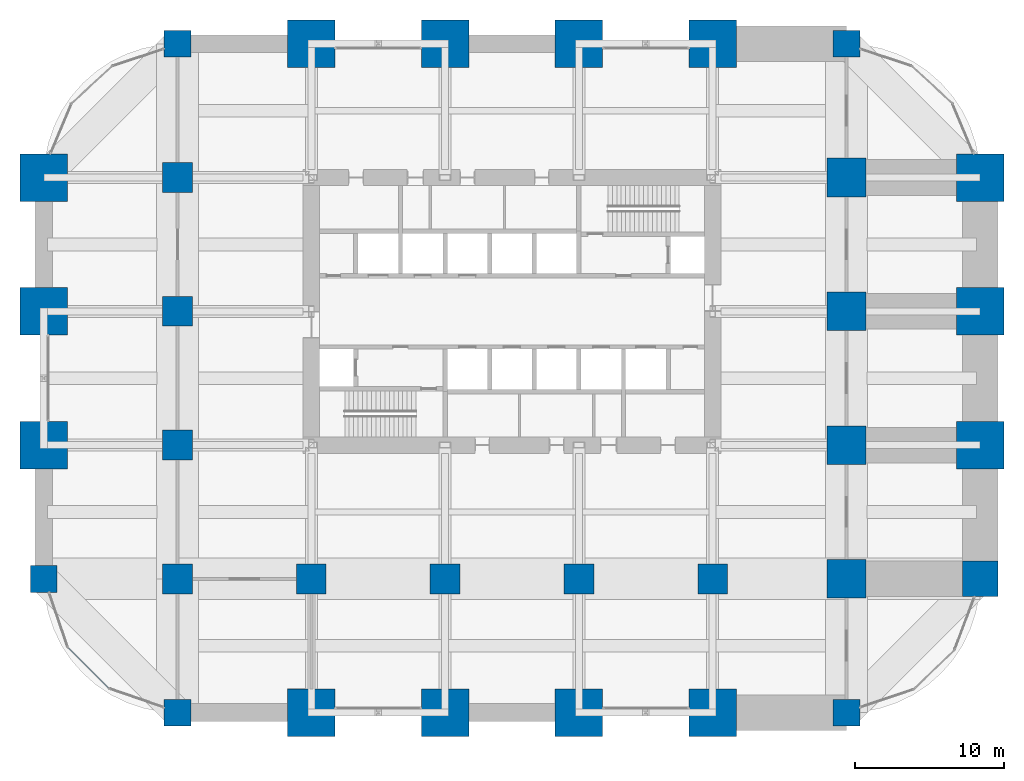
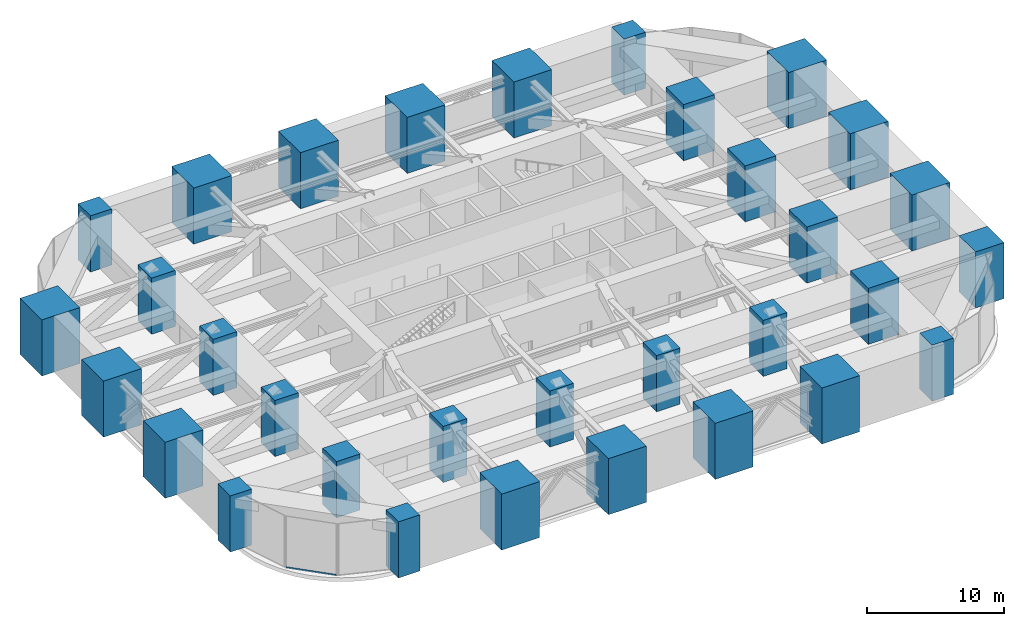
# One storey, part 1 of 38: 32 columns, 1 member, 1 element without a shape of its own.
"""IFC4 building model written with IfcOpenShell, lengths in metres."""

import ifcopenshell
import ifcopenshell.guid

model = None  # the IFC model being written
_history = None  # IfcOwnerHistory: only IFC2X3 demands one
_inside = {}  # id of a spatial element -> (the spatial element, [elements in it])
_under = {}  # id of a project, library or spatial element -> (it, [spatial elements below it])
_declared = {}  # id of a project -> (the project, [libraries it declares])
_typed = {}  # id of a type object -> (the type object, [elements of that type])
_made_of = {}  # id of a material, layer set ... -> (it, [elements and type objects made of it])


def new_model(schema):
    """Start an empty IFC model of exactly this schema.

    Asked for "IFC4X3", IfcOpenShell would pick the latest addendum, in which some entities
    have other attributes; the version numbers below select the first issue.
    IFC2X3 requires an IfcOwnerHistory on every rooted entity: one is made here for all.
    """
    global model, _history
    if schema == "IFC4X3":
        model = ifcopenshell.file(schema_version=(4, 3, 0, 0))
    else:
        model = ifcopenshell.file(schema=schema)
    _inside.clear()
    _under.clear()
    _declared.clear()
    _typed.clear()
    _made_of.clear()
    _history = None
    if model.schema == "IFC2X3":
        org = make("IfcOrganization", Name="unknown")
        user = make(
            "IfcPersonAndOrganization",
            ThePerson=make("IfcPerson", FamilyName="unknown"),
            TheOrganization=org,
        )
        app = make(
            "IfcApplication",
            ApplicationDeveloper=org,
            Version="unknown",
            ApplicationFullName="unknown",
            ApplicationIdentifier="unknown",
        )
        _history = make(
            "IfcOwnerHistory",
            OwningUser=user,
            OwningApplication=app,
            ChangeAction="ADDED",
            CreationDate=0,
        )
    return model


def make(cls, **values):
    """One entity of the class cls with the attributes given. An attribute that is None is left unset."""
    return model.create_entity(
        cls, **{name: value for name, value in values.items() if value is not None}
    )


def rooted(cls, **values):
    """An entity with a GlobalId (a new one), such as an element, a storey or a relation."""
    return make(cls, GlobalId=ifcopenshell.guid.new(), OwnerHistory=_history, **values)


def si_unit(unit_type, name, prefix=None):
    """IfcSIUnit, for example si_unit("LENGTHUNIT", "METRE", prefix="MILLI")."""
    return make("IfcSIUnit", UnitType=unit_type, Prefix=prefix, Name=name)


def assignment(units):
    """IfcUnitAssignment: the units of a project."""
    return None if units is None else make("IfcUnitAssignment", Units=units)


def point(xyz):
    """IfcCartesianPoint."""
    return None if xyz is None else make("IfcCartesianPoint", Coordinates=xyz)


def direction(xyz):
    """IfcDirection."""
    return None if xyz is None else make("IfcDirection", DirectionRatios=xyz)


def frame(location, z_axis=None, x_axis=None):
    """IfcAxis2Placement3D, a coordinate frame: its origin and axes. An axis left out is left unset."""
    return make(
        "IfcAxis2Placement3D",
        Location=point(location),
        Axis=direction(z_axis),
        RefDirection=direction(x_axis),
    )


def frame_2d(location, x_axis=None):
    """IfcAxis2Placement2D, a coordinate frame in the plane: its origin and x axis."""
    return make(
        "IfcAxis2Placement2D", Location=point(location), RefDirection=direction(x_axis)
    )


def origin():
    """The frame at (0, 0, 0) with its axes left unset."""
    return frame((0.0, 0.0, 0.0))


def origin_2d():
    """The frame at (0, 0) in the plane with its x axis left unset."""
    return frame_2d((0.0, 0.0))


def place(relative_to, where):
    """IfcLocalPlacement: puts the frame where relative to a parent placement (None: the world)."""
    return make(
        "IfcLocalPlacement", PlacementRelTo=relative_to, RelativePlacement=where
    )


def context(
    kind, dimensions, precision=None, world=None, true_north=None, identifier=None
):
    """IfcGeometricRepresentationContext, for example the 3D "Model" context."""
    return make(
        "IfcGeometricRepresentationContext",
        ContextIdentifier=identifier,
        ContextType=kind,
        CoordinateSpaceDimension=dimensions,
        Precision=precision,
        WorldCoordinateSystem=world,
        TrueNorth=true_north,
    )


def subcontext(parent, identifier, kind, view, scale=None):
    """IfcGeometricRepresentationSubContext, for example "Body" below "Model"."""
    return make(
        "IfcGeometricRepresentationSubContext",
        ContextIdentifier=identifier,
        ContextType=kind,
        ParentContext=parent,
        TargetScale=scale,
        TargetView=view,
    )


def project(units=None, contexts=None):
    """IfcProject with its units and contexts."""
    return rooted(
        "IfcProject",
        Name="project",
        RepresentationContexts=contexts,
        UnitsInContext=assignment(units),
    )


def spatial(cls, under=None, at=None, **own):
    """A site, building, storey or space (cls), placed at a placement, below another one or the project."""
    s = rooted(cls, ObjectPlacement=at, **own)
    if under is not None:
        _under.setdefault(under.id(), (under, []))[1].append(s)
    return s


def profile(cls, at=None, kind="AREA", **sizes):
    """A parametric profile (cls). Its sizes go by their IFC names, for example OverallWidth=200.0."""
    return make(cls, ProfileType=kind, Position=at, **sizes)


def rectangle(**sizes):
    """IfcRectangleProfileDef."""
    return profile("IfcRectangleProfileDef", **sizes)


def hollow_rectangle(**sizes):
    """IfcRectangleHollowProfileDef."""
    return profile("IfcRectangleHollowProfileDef", **sizes)


def extrude(swept, where, along, depth):
    """IfcExtrudedAreaSolid: the profile swept, set in the frame where, extruded along a direction by depth."""
    return make(
        "IfcExtrudedAreaSolid",
        SweptArea=swept,
        Position=where,
        ExtrudedDirection=direction(along),
        Depth=depth,
    )


def shape(context_of_items, identifier, shape_type, items):
    """IfcShapeRepresentation: the items that make up one representation, for example the "Body"."""
    return make(
        "IfcShapeRepresentation",
        ContextOfItems=context_of_items,
        RepresentationIdentifier=identifier,
        RepresentationType=shape_type,
        Items=items,
    )


def material(Name=None, Category=None):
    """IfcMaterial."""
    return make("IfcMaterial", Name=Name, Category=Category)


def material_profile(
    of_material, cross_section, Name=None, Category=None, Priority=None
):
    """IfcMaterialProfile: a cross section and its material."""
    return make(
        "IfcMaterialProfile",
        Name=Name,
        Material=of_material,
        Profile=cross_section,
        Priority=Priority,
        Category=Category,
    )


def profile_set(profiles, Name=None, composite=None):
    """IfcMaterialProfileSet."""
    return make(
        "IfcMaterialProfileSet",
        Name=Name,
        MaterialProfiles=profiles,
        CompositeProfile=composite,
    )


def made_of(thing, what):
    """Note that an element or type object is made of a material, layer set ...; save() writes the relation."""
    if what is not None:
        _made_of.setdefault(what.id(), (what, []))[1].append(thing)
    return thing


def type_object(cls, material=None, **own):
    """A type object (cls), such as IfcWallType, which elements share."""
    return made_of(rooted(cls, **own), material)


def element(
    cls,
    number,
    at=None,
    inside=None,
    cuts=None,
    type_object=None,
    material=None,
    context=None,
    identifier="Body",
    shape_type=None,
    held_by="IfcProductDefinitionShape",
    body=None,
    shapes=None,
    **own,
):
    """One element of the class cls, such as IfcWall. Its Tag is "e" and its number.

    at: its placement. inside: the storey or other place that contains it. cuts: it is an
    opening in that element (IfcRelVoidsElement). A single representation is given by context,
    identifier, shape_type and body (its items); several are given by shapes. held_by: the class
    of the entity that holds the representations. save() writes the other relations.
    """
    e = rooted(cls, Tag="e%d" % number, ObjectPlacement=at, **own)
    if body is not None:
        shapes = [shape(context, identifier, shape_type, body)]
    if shapes is not None:
        e.Representation = make(held_by, Representations=shapes)
    if inside is not None:
        _inside.setdefault(inside.id(), (inside, []))[1].append(e)
    if cuts is not None:
        rooted(
            "IfcRelVoidsElement", RelatingBuildingElement=cuts, RelatedOpeningElement=e
        )
    if type_object is not None:
        _typed.setdefault(type_object.id(), (type_object, []))[1].append(e)
    return made_of(e, material)


def aggregate(whole, parts):
    """IfcRelAggregates: a whole, such as a stair, and the parts it consists of."""
    return rooted("IfcRelAggregates", RelatingObject=whole, RelatedObjects=parts)


def save(model, path):
    """Write the relations noted so far, then the file.

    IfcRelAggregates (storeys below a building ...), IfcRelContainedInSpatialStructure (elements
    in a storey), IfcRelDefinesByType, IfcRelAssociatesMaterial and IfcRelDeclares: one each for
    every whole, place, type object, material and project.
    """
    for whole, parts in _under.values():
        aggregate(whole, parts)
    for where, things in _inside.values():
        rooted(
            "IfcRelContainedInSpatialStructure",
            RelatedElements=things,
            RelatingStructure=where,
        )
    for kind, things in _typed.values():
        rooted("IfcRelDefinesByType", RelatedObjects=things, RelatingType=kind)
    for what, things in _made_of.values():
        rooted("IfcRelAssociatesMaterial", RelatedObjects=things, RelatingMaterial=what)
    for by, libraries in _declared.values():
        rooted("IfcRelDeclares", RelatingContext=by, RelatedDefinitions=libraries)
    model.write(path)


model = new_model("IFC4")

# Units and contexts
model_context = context("Model", 3, precision=1e-05, world=origin(), true_north=direction((0.0, 1.0)))
body_context = subcontext(model_context, "Body", "Model", "MODEL_VIEW")
ifc_project = project(units=[si_unit("LENGTHUNIT", "METRE"), si_unit("AREAUNIT", "SQUARE_METRE"), si_unit("VOLUMEUNIT", "CUBIC_METRE"), si_unit("PLANEANGLEUNIT", "RADIAN"), si_unit("MASSUNIT", "GRAM", prefix="KILO")], contexts=[model_context])

# Site, building, storey
site_placement = place(None, origin())
site = spatial("IfcSite", under=ifc_project, at=site_placement, CompositionType="ELEMENT")
building_placement = place(site_placement, origin())
building = spatial("IfcBuilding", under=site, at=building_placement, Name="Zorevar Civic Tower", CompositionType="ELEMENT")
storey_placement = place(building_placement, frame((0.0, 0.0, 157.199951171875)))
storey = spatial("IfcBuildingStorey", under=building, at=storey_placement, Name="L38", CompositionType="ELEMENT", Elevation=157.199951171875)

# Columns
ifc_material_1 = material(Name="Concrete C50/60", Category="concrete")
ifc_material_profile_1 = material_profile(ifc_material_1, rectangle(XDim=1.800048828125, YDim=1.800048828125, at=origin_2d()), Name="RC 1800x1800")
ifc_profile_set_1 = profile_set([ifc_material_profile_1], Name="Concrete C50/60")
column_type_1 = type_object("IfcColumnType", Name="Column RC 1800x1800", PredefinedType="COLUMN", material=ifc_profile_set_1)
for number, where, z_axis, x_axis, name in (
    (1, (0.0, 9.0, 0.0), (0.0, 0.0, 1.0), (1.0, 0.0, 0.0), "Column 2B L38"),
    (2, (9.0, 0.0, 0.0), (0.0, 0.0, 1.0), (1.0, 0.0, 0.0), "Column 3A L38"),
    (3, (9.0, 45.0, 0.0), (0.0, 0.0, 1.0), (1.0, 0.0, 0.0), "Column 3F L38"),
    (4, (54.0, 0.0, 0.0), (0.0, 0.0, 1.0), (1.0, 0.0, 0.0), "Column 8A L38"),
    (5, (54.0, 45.0, 0.0), (0.0, 0.0, 1.0), (1.0, 0.0, 0.0), "Column 8F L38"),
):
    element("IfcColumn", number, at=place(storey_placement, frame(where, z_axis=z_axis, x_axis=x_axis)), inside=storey, type_object=column_type_1, Name=name, PredefinedType="COLUMN", context=body_context, shape_type="SweptSolid", body=[
        extrude(rectangle(XDim=1.800048828125, YDim=1.800048828125, at=origin_2d()), origin(), (0.0, 0.0, 1.0), 5.0),
    ])
ifc_material_2 = material(Name="Concrete C50/60", Category="concrete")
ifc_material_profile_2 = material_profile(ifc_material_2, rectangle(XDim=2.0, YDim=2.0, at=origin_2d()), Name="RC 2000x2000")
ifc_profile_set_2 = profile_set([ifc_material_profile_2], Name="Concrete C50/60")
column_type_2 = type_object("IfcColumnType", Name="Column RC 2000x2000", PredefinedType="COLUMN", material=ifc_profile_set_2)
for number, where, z_axis, x_axis, name in (
    (6, (9.0, 9.0, 0.0), (0.0, 0.0, 1.0), (1.0, 0.0, 0.0), "Column 3B L38"),
    (7, (9.0, 18.0, 0.0), (0.0, 0.0, 1.0), (1.0, 0.0, 0.0), "Column 3C L38"),
    (8, (9.0, 27.0, 0.0), (0.0, 0.0, 1.0), (1.0, 0.0, 0.0), "Column 3D L38"),
    (9, (9.0, 36.0, 0.0), (0.0, 0.0, 1.0), (1.0, 0.0, 0.0), "Column 3E L38"),
    (10, (18.0, 9.0, 0.0), (0.0, 0.0, 1.0), (1.0, 0.0, 0.0), "Column 4B L38"),
    (11, (27.0, 9.0, 0.0), (0.0, 0.0, 1.0), (1.0, 0.0, 0.0), "Column 5B L38"),
    (12, (36.0, 9.0, 0.0), (0.0, 0.0, 1.0), (1.0, 0.0, 0.0), "Column 6B L38"),
    (13, (45.0, 9.0, 0.0), (0.0, 0.0, 1.0), (1.0, 0.0, 0.0), "Column 7B L38"),
):
    element("IfcColumn", number, at=place(storey_placement, frame(where, z_axis=z_axis, x_axis=x_axis)), inside=storey, type_object=column_type_2, Name=name, PredefinedType="COLUMN", context=body_context, shape_type="SweptSolid", body=[
        extrude(rectangle(XDim=2.0, YDim=2.0, at=origin_2d()), origin(), (0.0, 0.0, 1.0), 5.0),
    ])
ifc_material_3 = material(Name="Concrete C50/60", Category="concrete")
ifc_material_profile_3 = material_profile(ifc_material_3, rectangle(XDim=2.39990234375, YDim=2.39990234375, at=origin_2d()), Name="RC 2400x2400")
ifc_profile_set_3 = profile_set([ifc_material_profile_3], Name="Concrete C50/60")
column_type_3 = type_object("IfcColumnType", Name="Column RC 2400x2400", PredefinedType="COLUMN", material=ifc_profile_set_3)
column_placement = place(storey_placement, frame((63.0, 9.0, 0.0), z_axis=(0.0, 0.0, 1.0), x_axis=(1.0, 0.0, 0.0)))
element("IfcColumn", 14, at=column_placement, inside=storey, type_object=column_type_3, Name="Column 9B L38", PredefinedType="COLUMN", context=body_context, shape_type="SweptSolid", body=[
    extrude(rectangle(XDim=2.39990234375, YDim=2.39990234375, at=origin_2d()), origin(), (0.0, 0.0, 1.0), 5.0),
])
ifc_material_4 = material(Name="Concrete C50/60", Category="concrete")
ifc_material_profile_4 = material_profile(ifc_material_4, rectangle(XDim=2.60009765625, YDim=2.60009765625, at=origin_2d()), Name="RC 2600x2600")
ifc_profile_set_4 = profile_set([ifc_material_profile_4], Name="Concrete C50/60")
column_type_4 = type_object("IfcColumnType", Name="Column RC 2600x2600", PredefinedType="COLUMN", material=ifc_profile_set_4)
for number, where, z_axis, x_axis, name in (
    (15, (54.0, 9.0, 0.0), (0.0, 0.0, 1.0), (1.0, 0.0, 0.0), "Column 8B L38"),
    (16, (54.0, 18.0, 0.0), (0.0, 0.0, 1.0), (1.0, 0.0, 0.0), "Column 8C L38"),
    (17, (54.0, 27.0, 0.0), (0.0, 0.0, 1.0), (1.0, 0.0, 0.0), "Column 8D L38"),
    (18, (54.0, 36.0, 0.0), (0.0, 0.0, 1.0), (1.0, 0.0, 0.0), "Column 8E L38"),
):
    element("IfcColumn", number, at=place(storey_placement, frame(where, z_axis=z_axis, x_axis=x_axis)), inside=storey, type_object=column_type_4, Name=name, PredefinedType="COLUMN", context=body_context, shape_type="SweptSolid", body=[
        extrude(rectangle(XDim=2.60009765625, YDim=2.60009765625, at=origin_2d()), origin(), (0.0, 0.0, 1.0), 5.0),
    ])
ifc_material_5 = material(Name="Concrete C50/60", Category="concrete")
ifc_material_profile_5 = material_profile(ifc_material_5, rectangle(XDim=3.199951171875, YDim=3.199951171875, at=origin_2d()), Name="RC 3200x3200")
ifc_profile_set_5 = profile_set([ifc_material_profile_5], Name="Concrete C50/60")
column_type_5 = type_object("IfcColumnType", Name="Mega column RC 3200x3200", PredefinedType="COLUMN", material=ifc_profile_set_5)
for number, where, z_axis, x_axis, name in (
    (19, (0.0, 18.0, 0.0), (0.0, 0.0, 1.0), (1.0, 0.0, 0.0), "Column 2C L38"),
    (20, (0.0, 27.0, 0.0), (0.0, 0.0, 1.0), (1.0, 0.0, 0.0), "Column 2D L38"),
    (21, (0.0, 36.0, 0.0), (0.0, 0.0, 1.0), (1.0, 0.0, 0.0), "Column 2E L38"),
    (22, (18.0, 0.0, 0.0), (0.0, 0.0, 1.0), (1.0, 0.0, 0.0), "Column 4A L38"),
    (23, (18.0, 45.0, 0.0), (0.0, 0.0, 1.0), (1.0, 0.0, 0.0), "Column 4F L38"),
    (24, (27.0, 0.0, 0.0), (0.0, 0.0, 1.0), (1.0, 0.0, 0.0), "Column 5A L38"),
    (25, (27.0, 45.0, 0.0), (0.0, 0.0, 1.0), (1.0, 0.0, 0.0), "Column 5F L38"),
    (26, (36.0, 0.0, 0.0), (0.0, 0.0, 1.0), (1.0, 0.0, 0.0), "Column 6A L38"),
    (27, (36.0, 45.0, 0.0), (0.0, 0.0, 1.0), (1.0, 0.0, 0.0), "Column 6F L38"),
    (28, (45.0, 0.0, 0.0), (0.0, 0.0, 1.0), (1.0, 0.0, 0.0), "Column 7A L38"),
    (29, (45.0, 45.0, 0.0), (0.0, 0.0, 1.0), (1.0, 0.0, 0.0), "Column 7F L38"),
    (30, (63.0, 18.0, 0.0), (0.0, 0.0, 1.0), (1.0, 0.0, 0.0), "Column 9C L38"),
    (31, (63.0, 27.0, 0.0), (0.0, 0.0, 1.0), (1.0, 0.0, 0.0), "Column 9D L38"),
    (32, (63.0, 36.0, 0.0), (0.0, 0.0, 1.0), (1.0, 0.0, 0.0), "Column 9E L38"),
):
    element("IfcColumn", number, at=place(storey_placement, frame(where, z_axis=z_axis, x_axis=x_axis)), inside=storey, type_object=column_type_5, Name=name, PredefinedType="COLUMN", context=body_context, shape_type="SweptSolid", body=[
        extrude(rectangle(XDim=3.199951171875, YDim=3.199951171875, at=origin_2d()), origin(), (0.0, 0.0, 1.0), 5.0),
    ])

# Curtain wall, member
ifc_material_6 = material(Name="Black aluminium louvres", Category="aluminium")
curtain_wall_type = type_object("IfcCurtainWallType", Name="Louvred curtain wall CW6 refuge", PredefinedType="NOTDEFINED", material=ifc_material_6)
curtain_wall_placement = place(storey_placement, origin())
curtain_wall = element("IfcCurtainWall", 33, at=curtain_wall_placement, inside=storey, type_object=curtain_wall_type, Name="CW6 L38", PredefinedType="NOTDEFINED")
ifc_material_7 = material(Name="Aluminium, black anodised", Category="aluminium")
ifc_material_profile_6 = material_profile(ifc_material_7, hollow_rectangle(XDim=0.06005859375, YDim=0.14990234375, WallThickness=0.00390625, at=origin_2d()), Name="AL 150x60x4")
ifc_profile_set_6 = profile_set([ifc_material_profile_6], Name="Aluminium, black anodised")
member_type = type_object("IfcMemberType", Name="CW6 transom AL 150x60x4", PredefinedType="USERDEFINED", material=ifc_profile_set_6)
member_placement = place(storey_placement, frame((1.662841796875, 4.349853515625, 0.030029296875), z_axis=(0.707106781187, -0.707106781187, 0.0), x_axis=(0.707106781187, 0.707106781187, 0.0)))
member = element("IfcMember", 34, at=member_placement, type_object=member_type, Name="CW6 sill transom", ObjectType="TRANSOM", PredefinedType="USERDEFINED", context=body_context, shape_type="SweptSolid", body=[
    extrude(hollow_rectangle(XDim=0.06005859375, YDim=0.14990234375, WallThickness=0.00390625, at=origin_2d()), origin(), (0.0, 0.0, 1.0), 3.800048828125),
])
aggregate(curtain_wall, [member])

save(model, "model.ifc")
